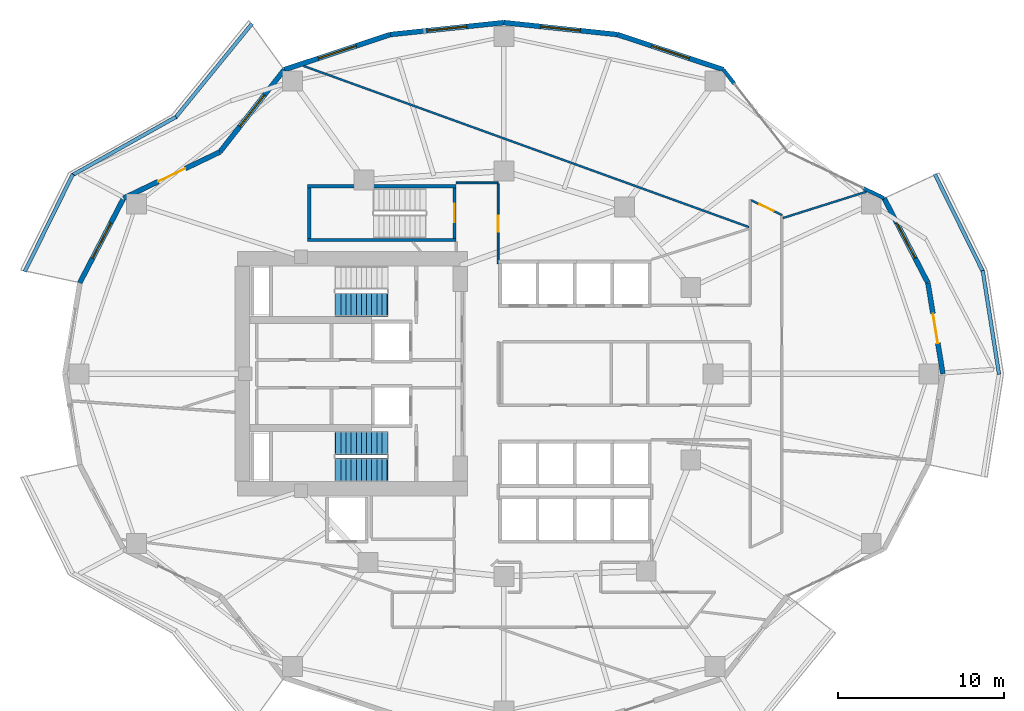
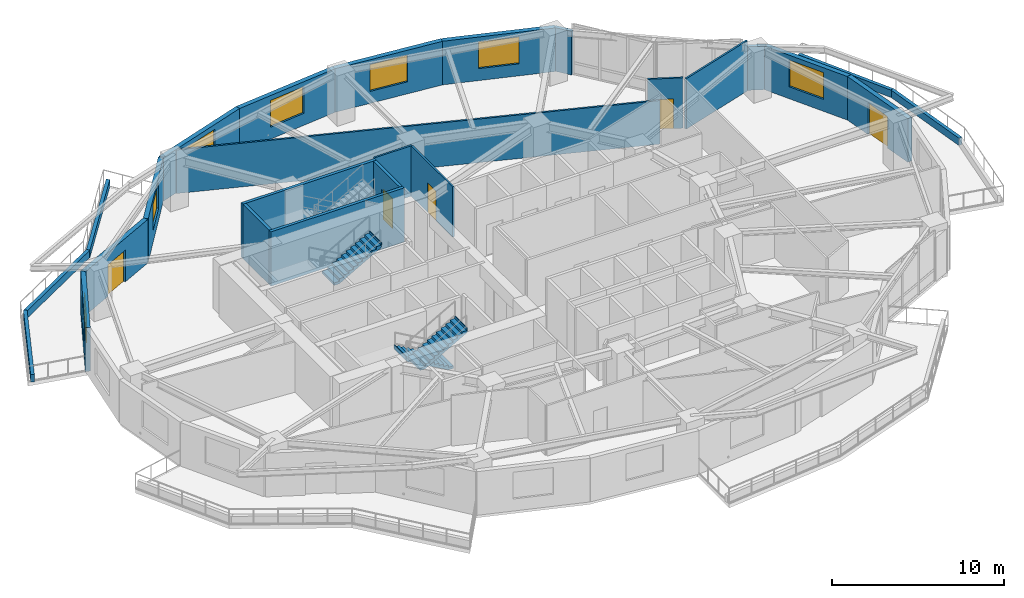
# One storey, part 9 of 13: 25 walls, 7 windows, 5 doors, 3 stair flights, 12 openings, 2 elements without a shape of their own.
"""IFC4 building model written with IfcOpenShell, lengths in metres."""

from ifc_helpers import new_model, si_unit, direction, frame, frame_2d, origin, place, context, subcontext, project, spatial, polyline, rectangle, outline, extrude, material, layer, layer_set, type_object, element, fill, aggregate, save


model = new_model("IFC4")

# Units and contexts
model_context = context("Model", 3, precision=1e-05, world=origin(), true_north=direction((0.0, 1.0)))
body_context = subcontext(model_context, "Body", "Model", "MODEL_VIEW")
ifc_project = project(units=[si_unit("LENGTHUNIT", "METRE"), si_unit("AREAUNIT", "SQUARE_METRE"), si_unit("VOLUMEUNIT", "CUBIC_METRE"), si_unit("PLANEANGLEUNIT", "RADIAN"), si_unit("MASSUNIT", "GRAM", prefix="KILO")], contexts=[model_context])

# Site, building, storey
site_placement = place(None, origin())
site = spatial("IfcSite", under=ifc_project, at=site_placement, CompositionType="ELEMENT")
building_placement = place(site_placement, origin())
building = spatial("IfcBuilding", under=site, at=building_placement, Name="Kolvaren Gate Tower and Convention Centre", CompositionType="ELEMENT")
storey_placement = place(building_placement, frame((0.0, 0.0, 76.550048828125)))
storey = spatial("IfcBuildingStorey", under=building, at=storey_placement, Name="L18", CompositionType="ELEMENT", Elevation=76.550048828125)

# Wall
ifc_material_1 = material(Name="Fire-Rated Acoustic Gypsum Stud Partition", Category="gypsum")
ifc_layer_1 = layer(ifc_material_1, 0.1201171875)
ifc_layer_set_1 = layer_set([ifc_layer_1], Name="Fire-Rated Acoustic Gypsum Stud Partition")
wall_type_1 = type_object("IfcWallType", Name="ARCH-WL-PART-120", PredefinedType="PARTITIONING", material=ifc_layer_set_1)
wall_1_placement = place(storey_placement, frame((27.25, 38.5, 0.0), z_axis=(0.0, 0.0, 1.0), x_axis=(1.0, 0.0, 0.0)))
element("IfcWall", 1, at=wall_1_placement, inside=storey, type_object=wall_type_1, Name="Interior Partition WL-L18-INT-027", PredefinedType="PARTITIONING", context=body_context, shape_type="SweptSolid", body=[
    extrude(rectangle(XDim=2.530029296875, YDim=0.1201171875, at=frame_2d((1.26513671875, 0.0))), origin(), (0.0, 0.0, 1.0), 3.570068359375),
])

# Wall, opening, door
wall_2_placement = place(storey_placement, frame((29.780029296875, 33.639892578125, 0.0), z_axis=(0.0, 0.0, 1.0), x_axis=(0.0, 1.0, 0.0)))
wall_2 = element("IfcWall", 2, at=wall_2_placement, inside=storey, type_object=wall_type_1, Name="Interior Partition WL-L18-INT-030", PredefinedType="PARTITIONING", context=body_context, shape_type="SweptSolid", body=[
    extrude(rectangle(XDim=4.798095703125, YDim=0.1201171875, at=frame_2d((2.39892578125, 0.0))), origin(), (0.0, 0.0, 1.0), 3.570068359375),
])
opening_1_placement = place(wall_2_placement, frame((1.924072265625, 0.0, 0.0)))
opening_1 = element("IfcOpeningElement", 3, at=opening_1_placement, cuts=wall_2, Name="Opening DR-01", PredefinedType="OPENING", context=body_context, shape_type="SweptSolid", body=[
    extrude(rectangle(XDim=0.949951171875, YDim=2.10009765625, at=frame_2d((0.47509765625, 1.050048828125))), frame((0.0, 0.070068359375, 0.0), z_axis=(0.0, -1.0, 0.0), x_axis=(1.0, 0.0, 0.0)), (0.0, 0.0, 1.0), 0.14013671875),
])
ifc_material_2 = material(Name="Painted Architectural Steelwork ASTM A500 Grade C 345 MPa", Category="steel")
door_type_1 = type_object("IfcDoorType", Name="ARCH-DR-RISER-950", OperationType="SINGLE_SWING_RIGHT", PredefinedType="DOOR", material=ifc_material_2)
door_1_placement = place(opening_1_placement, origin())
door_1 = element("IfcDoor", 4, at=door_1_placement, inside=storey, type_object=door_type_1, Name="Open-Plan Office Suite Door", OperationType="SINGLE_SWING_RIGHT", OverallHeight=2.10009765625, OverallWidth=0.949951171875, PredefinedType="DOOR", context=body_context, shape_type="SweptSolid", body=[
    extrude(rectangle(XDim=0.949951171875, YDim=2.10009765625, at=frame_2d((0.47509765625, 1.050048828125))), frame((0.0, 0.02490234375, 0.0), z_axis=(0.0, -1.0, 0.0), x_axis=(1.0, 0.0, 0.0)), (0.0, 0.0, 1.0), 0.050048828125),
])
fill(opening_1, door_1)

wall_3_placement = place(storey_placement, frame((45.011962890625, 37.451171875, 0.0), z_axis=(0.0, 0.0, 1.0), x_axis=(0.901304887575, -0.433185294803, 0.0)))
wall_3 = element("IfcWall", 5, at=wall_3_placement, inside=storey, type_object=wall_type_1, Name="Interior Partition WL-L18-INT-035", PredefinedType="PARTITIONING", context=body_context, shape_type="SweptSolid", body=[
    extrude(rectangle(XDim=2.0615234375, YDim=0.1201171875, at=frame_2d((1.03076171875, 0.0))), origin(), (0.0, 0.0, 1.0), 3.570068359375),
])
opening_2_placement = place(wall_3_placement, frame((0.555908203125, 0.0, 0.0)))
opening_2 = element("IfcOpeningElement", 6, at=opening_2_placement, cuts=wall_3, Name="Opening DR-01", PredefinedType="OPENING", context=body_context, shape_type="SweptSolid", body=[
    extrude(rectangle(XDim=0.949951171875, YDim=2.10009765625, at=frame_2d((0.47509765625, 1.050048828125))), frame((0.0, 0.070068359375, 0.0), z_axis=(0.0, -1.0, 0.0), x_axis=(1.0, 0.0, 0.0)), (0.0, 0.0, 1.0), 0.14013671875),
])
door_2_placement = place(opening_2_placement, origin())
door_2 = element("IfcDoor", 7, at=door_2_placement, inside=storey, type_object=door_type_1, Name="Staff Dining and Bistro Cafe Door", OperationType="SINGLE_SWING_LEFT", OverallHeight=2.10009765625, OverallWidth=0.949951171875, PredefinedType="DOOR", context=body_context, shape_type="SweptSolid", body=[
    extrude(rectangle(XDim=0.949951171875, YDim=2.10009765625, at=frame_2d((0.47509765625, 1.050048828125))), frame((0.0, 0.02490234375, 0.0), z_axis=(0.0, -1.0, 0.0), x_axis=(1.0, 0.0, 0.0)), (0.0, 0.0, 1.0), 0.050048828125),
])
fill(opening_2, door_2)

# Walls
wall_4_placement = place(storey_placement, frame((46.931884765625, 36.379638671875, 0.0), z_axis=(0.0, 0.0, 1.0), x_axis=(0.95364782426, 0.300924952909, 0.0)))
element("IfcWall", 8, at=wall_4_placement, inside=storey, type_object=wall_type_1, Name="Interior Partition WL-L18-INT-051", PredefinedType="PARTITIONING", context=body_context, shape_type="SweptSolid", body=[
    extrude(rectangle(XDim=5.2646484375, YDim=0.1201171875, at=frame_2d((2.63232421875, 0.0))), origin(), (0.0, 0.0, 1.0), 3.570068359375),
])
wall_5_placement = place(storey_placement, frame((18.0595703125, 45.538330078125, 0.0), z_axis=(0.0, 0.0, 1.0), x_axis=(0.940354559933, -0.340195975304, 0.0)))
element("IfcWall", 9, at=wall_5_placement, inside=storey, type_object=wall_type_1, Name="Interior Partition WL-L18-INT-052", PredefinedType="PARTITIONING", context=body_context, shape_type="SweptSolid", body=[
    extrude(rectangle(XDim=28.530029296875, YDim=0.1201171875, at=frame_2d((14.26513671875, 0.0))), origin(), (0.0, 0.0, 1.0), 3.093017578125),
])
ifc_material_3 = material(Name="Bogota Sabana Bush-Hammered Sandstone Cladding", Category="masonry")
ifc_layer_2 = layer(ifc_material_3, 0.219970703125)
ifc_layer_set_2 = layer_set([ifc_layer_2], Name="Bogota Sabana Bush-Hammered Sandstone Cladding")
wall_type_2 = type_object("IfcWallType", Name="ARCH-WL-PIER-220", PredefinedType="SOLIDWALL", material=ifc_layer_set_2)
wall_6_placement = place(storey_placement, frame((51.77587890625, 38.173095703125, 0.0), z_axis=(0.0, 0.0, 1.0), x_axis=(0.90131879969, -0.433156347438, 0.0)))
element("IfcWall", 10, at=wall_6_placement, inside=storey, type_object=wall_type_2, Name="Tower L18 Unitised Curtain Wall CW-OFF-UNIT Bay 02 Right Column Pier Wrap", PredefinedType="SOLIDWALL", context=body_context, shape_type="SweptSolid", body=[
    extrude(rectangle(XDim=1.380859375, YDim=0.219970703125, at=frame_2d((0.6904296875, 0.0))), origin(), (0.0, 0.0, 1.0), 3.093017578125),
])
wall_7_placement = place(storey_placement, frame((43.34375, 45.31640625, 0.0), z_axis=(0.0, 0.0, 1.0), x_axis=(0.616387780378, -0.787442762492, 0.0)))
element("IfcWall", 11, at=wall_7_placement, inside=storey, type_object=wall_type_2, Name="Tower L18 Unitised Curtain Wall CW-OFF-UNIT Bay 03 Left Column Pier Wrap", PredefinedType="SOLIDWALL", context=body_context, shape_type="SweptSolid", body=[
    extrude(rectangle(XDim=1.076171875, YDim=0.219970703125, at=frame_2d((0.5380859375, 0.0))), origin(), (0.0, 0.0, 1.0), 3.093017578125),
])
ifc_material_4 = material(Name="Piedmont Cream Honed Limestone Cladding", Category="masonry")
ifc_layer_3 = layer(ifc_material_4, 0.219970703125)
ifc_layer_set_3 = layer_set([ifc_layer_3], Name="Piedmont Cream Honed Limestone Cladding")
wall_type_3 = type_object("IfcWallType", Name="ARCH-WL-PLANTER-220", PredefinedType="PARAPET", material=ifc_layer_set_3)
wall_8_placement = place(storey_placement, frame((10.335693359375, 42.411376953125, 0.0), z_axis=(0.0, 0.0, 1.0), x_axis=(0.631819273026, 0.775115737315, 0.0)))
element("IfcWall", 12, at=wall_8_placement, inside=storey, type_object=wall_type_3, Name="Vertical-Forest Balcony Stone Planter Kerb PK-L18-1.1", PredefinedType="PARAPET", context=body_context, shape_type="SweptSolid", body=[
    extrude(rectangle(XDim=7.31591796875, YDim=0.219970703125, at=frame_2d((3.657958984375, 0.0))), origin(), (0.0, 0.0, 1.0), 0.52001953125),
])
wall_9_placement = place(storey_placement, frame((4.14697265625, 38.965576171875, 0.0), z_axis=(0.0, 0.0, 1.0), x_axis=(0.871775109335, 0.489906275468, 0.0)))
element("IfcWall", 13, at=wall_9_placement, inside=storey, type_object=wall_type_3, Name="Vertical-Forest Balcony Stone Planter Kerb PK-L18-1.2", PredefinedType="PARAPET", context=body_context, shape_type="SweptSolid", body=[
    extrude(rectangle(XDim=7.152099609375, YDim=0.219970703125, at=frame_2d((3.576171875, 0.0))), origin(), (0.0, 0.0, 1.0), 0.52001953125),
])
wall_10_placement = place(storey_placement, frame((1.275390625, 33.153076171875, 0.0), z_axis=(0.0, 0.0, 1.0), x_axis=(0.442686636348, 0.89667638644, 0.0)))
element("IfcWall", 14, at=wall_10_placement, inside=storey, type_object=wall_type_3, Name="Vertical-Forest Balcony Stone Planter Kerb PK-L18-1.3", PredefinedType="PARAPET", context=body_context, shape_type="SweptSolid", body=[
    extrude(rectangle(XDim=6.544677734375, YDim=0.219970703125, at=frame_2d((3.2724609375, 0.0))), origin(), (0.0, 0.0, 1.0), 0.52001953125),
])
wall_11_placement = place(storey_placement, frame((58.9619140625, 33.2119140625, 0.0), z_axis=(0.0, 0.0, 1.0), x_axis=(0.15545655238, -0.987842730561, 0.0)))
element("IfcWall", 15, at=wall_11_placement, inside=storey, type_object=wall_type_3, Name="Vertical-Forest Balcony Stone Planter Kerb PK-L18-4.2", PredefinedType="PARAPET", context=body_context, shape_type="SweptSolid", body=[
    extrude(rectangle(XDim=6.318115234375, YDim=0.219970703125, at=frame_2d((3.1591796875, 0.0))), origin(), (0.0, 0.0, 1.0), 0.52001953125),
])
wall_12_placement = place(storey_placement, frame((56.077392578125, 39.021484375, 0.0), z_axis=(0.0, 0.0, 1.0), x_axis=(0.442686636348, -0.89667638644, 0.0)))
element("IfcWall", 16, at=wall_12_placement, inside=storey, type_object=wall_type_3, Name="Vertical-Forest Balcony Stone Planter Kerb PK-L18-4.3", PredefinedType="PARAPET", context=body_context, shape_type="SweptSolid", body=[
    extrude(rectangle(XDim=6.544677734375, YDim=0.219970703125, at=frame_2d((3.2724609375, 0.0))), origin(), (0.0, 0.0, 1.0), 0.52001953125),
])

# Wall, opening, door
ifc_layer_4 = layer(ifc_material_4, 0.300048828125)
ifc_layer_set_4 = layer_set([ifc_layer_4], Name="Piedmont Cream Honed Limestone Cladding")
wall_type_4 = type_object("IfcWallType", Name="ARCH-WL-STONE-300", PredefinedType="SOLIDWALL", material=ifc_layer_set_4)
wall_13_placement = place(storey_placement, frame((55.66162109375, 32.47412109375, 0.0), z_axis=(0.0, 0.0, 1.0), x_axis=(0.162386212206, -0.986727276447, 0.0)))
wall_13 = element("IfcWall", 17, at=wall_13_placement, inside=storey, type_object=wall_type_4, Name="Tower L18 Honed Stone Spandrel Wall EW-00", PredefinedType="SOLIDWALL", context=body_context, shape_type="SweptSolid", body=[
    extrude(rectangle(XDim=5.5478515625, YDim=0.300048828125, at=frame_2d((2.77392578125, 0.0))), origin(), (0.0, 0.0, 1.0), 3.093017578125),
])
opening_3_placement = place(wall_13_placement, frame((1.8740234375, 0.0, 0.0)))
opening_3 = element("IfcOpeningElement", 18, at=opening_3_placement, cuts=wall_13, Name="Opening DB-01", PredefinedType="OPENING", context=body_context, shape_type="SweptSolid", body=[
    extrude(rectangle(XDim=1.800048828125, YDim=2.25, at=frame_2d((0.89990234375, 1.125))), frame((0.0, 0.159912109375, 0.0), z_axis=(0.0, -1.0, 0.0), x_axis=(1.0, 0.0, 0.0)), (0.0, 0.0, 1.0), 0.320068359375),
])
ifc_material_5 = material(Name="Anodized Architectural Aluminium Alloy 6063-T6", Category="aluminium")
door_type_2 = type_object("IfcDoorType", Name="ARCH-DR-BALC-1800", OperationType="SLIDING_TO_LEFT", PredefinedType="DOOR", material=ifc_material_5)
door_3_placement = place(opening_3_placement, origin())
door_3 = element("IfcDoor", 19, at=door_3_placement, inside=storey, type_object=door_type_2, Name="Planted Sky Terrace Access Door DB-L18-00", OperationType="SLIDING_TO_LEFT", OverallHeight=2.25, OverallWidth=1.800048828125, PredefinedType="DOOR", context=body_context, shape_type="SweptSolid", body=[
    extrude(rectangle(XDim=1.800048828125, YDim=2.25, at=frame_2d((0.89990234375, 1.125))), frame((0.0, 0.02490234375, 0.0), z_axis=(0.0, -1.0, 0.0), x_axis=(1.0, 0.0, 0.0)), (0.0, 0.0, 1.0), 0.050048828125),
])
fill(opening_3, door_3)

# Wall, opening, window
wall_14_placement = place(storey_placement, frame((53.0205078125, 37.574951171875, 0.0), z_axis=(0.0, 0.0, 1.0), x_axis=(0.459800981414, -0.888021991558, 0.0)))
wall_14 = element("IfcWall", 20, at=wall_14_placement, inside=storey, type_object=wall_type_4, Name="Tower L18 Honed Stone Spandrel Wall EW-01", PredefinedType="SOLIDWALL", context=body_context, shape_type="SweptSolid", body=[
    extrude(rectangle(XDim=5.744140625, YDim=0.300048828125, at=frame_2d((2.8720703125, 0.0))), origin(), (0.0, 0.0, 1.0), 3.093017578125),
])
opening_4_placement = place(wall_14_placement, frame((1.672119140625, 0.0, 0.85009765625)))
opening_4 = element("IfcOpeningElement", 21, at=opening_4_placement, cuts=wall_14, Name="Opening W-01", PredefinedType="OPENING", context=body_context, shape_type="SweptSolid", body=[
    extrude(rectangle(XDim=2.39990234375, YDim=1.89990234375, at=frame_2d((1.199951171875, 0.949951171875))), frame((0.0, 0.159912109375, 0.0), z_axis=(0.0, -1.0, 0.0), x_axis=(1.0, 0.0, 0.0)), (0.0, 0.0, 1.0), 0.320068359375),
])
ifc_material_6 = material(Name="Low-E Triple Insulated Glazing Unit 44 mm", Category="glass")
window_type = type_object("IfcWindowType", Name="ARCH-WN-OFF-2400", PartitioningType="SINGLE_PANEL", PredefinedType="WINDOW", material=ifc_material_6)
window_1_placement = place(opening_4_placement, origin())
window_1 = element("IfcWindow", 22, at=window_1_placement, inside=storey, type_object=window_type, Name="Tower L18 Punched Stone Facade Window W-01", OverallHeight=1.89990234375, OverallWidth=2.39990234375, PartitioningType="SINGLE_PANEL", PredefinedType="WINDOW", context=body_context, shape_type="SweptSolid", body=[
    extrude(rectangle(XDim=2.39990234375, YDim=1.89990234375, at=frame_2d((1.199951171875, 0.949951171875))), frame((0.0, 0.030029296875, 0.0), z_axis=(0.0, -1.0, 0.0), x_axis=(1.0, 0.0, 0.0)), (0.0, 0.0, 1.0), 0.06005859375),
])
fill(opening_4, window_1)

wall_15_placement = place(storey_placement, frame((36.967529296875, 47.42919921875, 0.0), z_axis=(0.0, 0.0, 1.0), x_axis=(0.949245153629, -0.314537181127, 0.0)))
wall_15 = element("IfcWall", 23, at=wall_15_placement, inside=storey, type_object=wall_type_4, Name="Tower L18 Honed Stone Spandrel Wall EW-04", PredefinedType="SOLIDWALL", context=body_context, shape_type="SweptSolid", body=[
    extrude(rectangle(XDim=6.717041015625, YDim=0.300048828125, at=frame_2d((3.3583984375, 0.0))), origin(), (0.0, 0.0, 1.0), 3.093017578125),
])
opening_5_placement = place(wall_15_placement, frame((2.158935546875, 0.0, 0.85009765625)))
opening_5 = element("IfcOpeningElement", 24, at=opening_5_placement, cuts=wall_15, Name="Opening W-01", PredefinedType="OPENING", context=body_context, shape_type="SweptSolid", body=[
    extrude(rectangle(XDim=2.39990234375, YDim=1.89990234375, at=frame_2d((1.199951171875, 0.949951171875))), frame((0.0, 0.159912109375, 0.0), z_axis=(0.0, -1.0, 0.0), x_axis=(1.0, 0.0, 0.0)), (0.0, 0.0, 1.0), 0.320068359375),
])
window_2_placement = place(opening_5_placement, origin())
window_2 = element("IfcWindow", 25, at=window_2_placement, inside=storey, type_object=window_type, Name="Tower L18 Punched Stone Facade Window W-04", OverallHeight=1.89990234375, OverallWidth=2.39990234375, PartitioningType="SINGLE_PANEL", PredefinedType="WINDOW", context=body_context, shape_type="SweptSolid", body=[
    extrude(rectangle(XDim=2.39990234375, YDim=1.89990234375, at=frame_2d((1.199951171875, 0.949951171875))), frame((0.0, 0.030029296875, 0.0), z_axis=(0.0, -1.0, 0.0), x_axis=(1.0, 0.0, 0.0)), (0.0, 0.0, 1.0), 0.06005859375),
])
fill(opening_5, window_2)

wall_16_placement = place(storey_placement, frame((30.125, 48.14990234375, 0.0), z_axis=(0.0, 0.0, 1.0), x_axis=(0.994498840295, -0.104747585419, 0.0)))
wall_16 = element("IfcWall", 26, at=wall_16_placement, inside=storey, type_object=wall_type_4, Name="Tower L18 Honed Stone Spandrel Wall EW-05", PredefinedType="SOLIDWALL", context=body_context, shape_type="SweptSolid", body=[
    extrude(rectangle(XDim=6.88037109375, YDim=0.300048828125, at=frame_2d((3.440185546875, 0.0))), origin(), (0.0, 0.0, 1.0), 3.093017578125),
])
opening_6_placement = place(wall_16_placement, frame((2.239990234375, 0.0, 0.85009765625)))
opening_6 = element("IfcOpeningElement", 27, at=opening_6_placement, cuts=wall_16, Name="Opening W-01", PredefinedType="OPENING", context=body_context, shape_type="SweptSolid", body=[
    extrude(rectangle(XDim=2.39990234375, YDim=1.89990234375, at=frame_2d((1.199951171875, 0.949951171875))), frame((0.0, 0.159912109375, 0.0), z_axis=(0.0, -1.0, 0.0), x_axis=(1.0, 0.0, 0.0)), (0.0, 0.0, 1.0), 0.320068359375),
])
window_3_placement = place(opening_6_placement, origin())
window_3 = element("IfcWindow", 28, at=window_3_placement, inside=storey, type_object=window_type, Name="Tower L18 Punched Stone Facade Window W-05", OverallHeight=1.89990234375, OverallWidth=2.39990234375, PartitioningType="SINGLE_PANEL", PredefinedType="WINDOW", context=body_context, shape_type="SweptSolid", body=[
    extrude(rectangle(XDim=2.39990234375, YDim=1.89990234375, at=frame_2d((1.199951171875, 0.949951171875))), frame((0.0, 0.030029296875, 0.0), z_axis=(0.0, -1.0, 0.0), x_axis=(1.0, 0.0, 0.0)), (0.0, 0.0, 1.0), 0.06005859375),
])
fill(opening_6, window_3)

wall_17_placement = place(storey_placement, frame((23.282470703125, 47.42919921875, 0.0), z_axis=(0.0, 0.0, 1.0), x_axis=(0.994498840295, 0.104747585419, 0.0)))
wall_17 = element("IfcWall", 29, at=wall_17_placement, inside=storey, type_object=wall_type_4, Name="Tower L18 Honed Stone Spandrel Wall EW-06", PredefinedType="SOLIDWALL", context=body_context, shape_type="SweptSolid", body=[
    extrude(rectangle(XDim=6.88037109375, YDim=0.300048828125, at=frame_2d((3.440185546875, 0.0))), origin(), (0.0, 0.0, 1.0), 3.093017578125),
])
opening_7_placement = place(wall_17_placement, frame((2.239990234375, 0.0, 0.85009765625)))
opening_7 = element("IfcOpeningElement", 30, at=opening_7_placement, cuts=wall_17, Name="Opening W-01", PredefinedType="OPENING", context=body_context, shape_type="SweptSolid", body=[
    extrude(rectangle(XDim=2.39990234375, YDim=1.89990234375, at=frame_2d((1.199951171875, 0.949951171875))), frame((0.0, 0.159912109375, 0.0), z_axis=(0.0, -1.0, 0.0), x_axis=(1.0, 0.0, 0.0)), (0.0, 0.0, 1.0), 0.320068359375),
])
window_4_placement = place(opening_7_placement, origin())
window_4 = element("IfcWindow", 31, at=window_4_placement, inside=storey, type_object=window_type, Name="Tower L18 Punched Stone Facade Window W-06", OverallHeight=1.89990234375, OverallWidth=2.39990234375, PartitioningType="SINGLE_PANEL", PredefinedType="WINDOW", context=body_context, shape_type="SweptSolid", body=[
    extrude(rectangle(XDim=2.39990234375, YDim=1.89990234375, at=frame_2d((1.199951171875, 0.949951171875))), frame((0.0, 0.030029296875, 0.0), z_axis=(0.0, -1.0, 0.0), x_axis=(1.0, 0.0, 0.0)), (0.0, 0.0, 1.0), 0.06005859375),
])
fill(opening_7, window_4)

wall_18_placement = place(storey_placement, frame((16.90625, 45.31640625, 0.0), z_axis=(0.0, 0.0, 1.0), x_axis=(0.949245153629, 0.314537181127, 0.0)))
wall_18 = element("IfcWall", 32, at=wall_18_placement, inside=storey, type_object=wall_type_4, Name="Tower L18 Honed Stone Spandrel Wall EW-07", PredefinedType="SOLIDWALL", context=body_context, shape_type="SweptSolid", body=[
    extrude(rectangle(XDim=6.717041015625, YDim=0.300048828125, at=frame_2d((3.3583984375, 0.0))), origin(), (0.0, 0.0, 1.0), 3.093017578125),
])
opening_8_placement = place(wall_18_placement, frame((2.158935546875, 0.0, 0.85009765625)))
opening_8 = element("IfcOpeningElement", 33, at=opening_8_placement, cuts=wall_18, Name="Opening W-01", PredefinedType="OPENING", context=body_context, shape_type="SweptSolid", body=[
    extrude(rectangle(XDim=2.39990234375, YDim=1.89990234375, at=frame_2d((1.199951171875, 0.949951171875))), frame((0.0, 0.159912109375, 0.0), z_axis=(0.0, -1.0, 0.0), x_axis=(1.0, 0.0, 0.0)), (0.0, 0.0, 1.0), 0.320068359375),
])
window_5_placement = place(opening_8_placement, origin())
window_5 = element("IfcWindow", 34, at=window_5_placement, inside=storey, type_object=window_type, Name="Tower L18 Punched Stone Facade Window W-07", OverallHeight=1.89990234375, OverallWidth=2.39990234375, PartitioningType="SINGLE_PANEL", PredefinedType="WINDOW", context=body_context, shape_type="SweptSolid", body=[
    extrude(rectangle(XDim=2.39990234375, YDim=1.89990234375, at=frame_2d((1.199951171875, 0.949951171875))), frame((0.0, 0.030029296875, 0.0), z_axis=(0.0, -1.0, 0.0), x_axis=(1.0, 0.0, 0.0)), (0.0, 0.0, 1.0), 0.06005859375),
])
fill(opening_8, window_5)

wall_19_placement = place(storey_placement, frame((13.026123046875, 40.360107421875, 0.0), z_axis=(0.0, 0.0, 1.0), x_axis=(0.616434798832, 0.78740595552, 0.0)))
wall_19 = element("IfcWall", 35, at=wall_19_placement, inside=storey, type_object=wall_type_4, Name="Tower L18 Honed Stone Spandrel Wall EW-08", PredefinedType="SOLIDWALL", context=body_context, shape_type="SweptSolid", body=[
    extrude(rectangle(XDim=6.29443359375, YDim=0.300048828125, at=frame_2d((3.147216796875, 0.0))), origin(), (0.0, 0.0, 1.0), 3.093017578125),
])
opening_9_placement = place(wall_19_placement, frame((1.947021484375, 0.0, 0.85009765625)))
opening_9 = element("IfcOpeningElement", 36, at=opening_9_placement, cuts=wall_19, Name="Opening W-01", PredefinedType="OPENING", context=body_context, shape_type="SweptSolid", body=[
    extrude(rectangle(XDim=2.39990234375, YDim=1.89990234375, at=frame_2d((1.199951171875, 0.949951171875))), frame((0.0, 0.159912109375, 0.0), z_axis=(0.0, -1.0, 0.0), x_axis=(1.0, 0.0, 0.0)), (0.0, 0.0, 1.0), 0.320068359375),
])
window_6_placement = place(opening_9_placement, origin())
window_6 = element("IfcWindow", 37, at=window_6_placement, inside=storey, type_object=window_type, Name="Tower L18 Punched Stone Facade Window W-08", OverallHeight=1.89990234375, OverallWidth=2.39990234375, PartitioningType="SINGLE_PANEL", PredefinedType="WINDOW", context=body_context, shape_type="SweptSolid", body=[
    extrude(rectangle(XDim=2.39990234375, YDim=1.89990234375, at=frame_2d((1.199951171875, 0.949951171875))), frame((0.0, 0.030029296875, 0.0), z_axis=(0.0, -1.0, 0.0), x_axis=(1.0, 0.0, 0.0)), (0.0, 0.0, 1.0), 0.06005859375),
])
fill(opening_9, window_6)

# Wall, opening, door
wall_20_placement = place(storey_placement, frame((7.2294921875, 37.574951171875, 0.0), z_axis=(0.0, 0.0, 1.0), x_axis=(0.901354747727, 0.433081538224, 0.0)))
wall_20 = element("IfcWall", 38, at=wall_20_placement, inside=storey, type_object=wall_type_4, Name="Tower L18 Honed Stone Spandrel Wall EW-09", PredefinedType="SOLIDWALL", context=body_context, shape_type="SweptSolid", body=[
    extrude(rectangle(XDim=6.430908203125, YDim=0.300048828125, at=frame_2d((3.21533203125, 0.0))), origin(), (0.0, 0.0, 1.0), 3.093017578125),
])
opening_10_placement = place(wall_20_placement, frame((2.31494140625, 0.0, 0.0)))
opening_10 = element("IfcOpeningElement", 39, at=opening_10_placement, cuts=wall_20, Name="Opening DB-01", PredefinedType="OPENING", context=body_context, shape_type="SweptSolid", body=[
    extrude(rectangle(XDim=1.800048828125, YDim=2.25, at=frame_2d((0.89990234375, 1.125))), frame((0.0, 0.159912109375, 0.0), z_axis=(0.0, -1.0, 0.0), x_axis=(1.0, 0.0, 0.0)), (0.0, 0.0, 1.0), 0.320068359375),
])
door_4_placement = place(opening_10_placement, origin())
door_4 = element("IfcDoor", 40, at=door_4_placement, inside=storey, type_object=door_type_2, Name="Planted Sky Terrace Access Door DB-L18-09", OperationType="SLIDING_TO_LEFT", OverallHeight=2.25, OverallWidth=1.800048828125, PredefinedType="DOOR", context=body_context, shape_type="SweptSolid", body=[
    extrude(rectangle(XDim=1.800048828125, YDim=2.25, at=frame_2d((0.89990234375, 1.125))), frame((0.0, 0.02490234375, 0.0), z_axis=(0.0, -1.0, 0.0), x_axis=(1.0, 0.0, 0.0)), (0.0, 0.0, 1.0), 0.050048828125),
])
fill(opening_10, door_4)

# Wall, opening, window
wall_21_placement = place(storey_placement, frame((4.58837890625, 32.47412109375, 0.0), z_axis=(0.0, 0.0, 1.0), x_axis=(0.459800981414, 0.888021991558, 0.0)))
wall_21 = element("IfcWall", 41, at=wall_21_placement, inside=storey, type_object=wall_type_4, Name="Tower L18 Honed Stone Spandrel Wall EW-10", PredefinedType="SOLIDWALL", context=body_context, shape_type="SweptSolid", body=[
    extrude(rectangle(XDim=5.744140625, YDim=0.300048828125, at=frame_2d((2.8720703125, 0.0))), origin(), (0.0, 0.0, 1.0), 3.093017578125),
])
opening_11_placement = place(wall_21_placement, frame((1.672119140625, 0.0, 0.85009765625)))
opening_11 = element("IfcOpeningElement", 42, at=opening_11_placement, cuts=wall_21, Name="Opening W-01", PredefinedType="OPENING", context=body_context, shape_type="SweptSolid", body=[
    extrude(rectangle(XDim=2.39990234375, YDim=1.89990234375, at=frame_2d((1.199951171875, 0.949951171875))), frame((0.0, 0.159912109375, 0.0), z_axis=(0.0, -1.0, 0.0), x_axis=(1.0, 0.0, 0.0)), (0.0, 0.0, 1.0), 0.320068359375),
])
window_7_placement = place(opening_11_placement, origin())
window_7 = element("IfcWindow", 43, at=window_7_placement, inside=storey, type_object=window_type, Name="Tower L18 Punched Stone Facade Window W-10", OverallHeight=1.89990234375, OverallWidth=2.39990234375, PartitioningType="SINGLE_PANEL", PredefinedType="WINDOW", context=body_context, shape_type="SweptSolid", body=[
    extrude(rectangle(XDim=2.39990234375, YDim=1.89990234375, at=frame_2d((1.199951171875, 0.949951171875))), frame((0.0, 0.030029296875, 0.0), z_axis=(0.0, -1.0, 0.0), x_axis=(1.0, 0.0, 0.0)), (0.0, 0.0, 1.0), 0.06005859375),
])
fill(opening_11, window_7)

# Wall, opening, door
ifc_material_7 = material(Name="Concrete C50/60", Category="concrete")
ifc_layer_5 = layer(ifc_material_7, 0.199951171875)
ifc_layer_set_5 = layer_set([ifc_layer_5], Name="Concrete C50/60")
wall_type_5 = type_object("IfcWallType", Name="STR-WL-SHAFT-200", PredefinedType="SHEAR", material=ifc_layer_set_5)
wall_22_placement = place(storey_placement, frame((27.14990234375, 35.159912109375, -0.280029296875), z_axis=(0.0, 0.0, 1.0), x_axis=(0.0, 1.0, 0.0)))
wall_22 = element("IfcWall", 44, at=wall_22_placement, inside=storey, type_object=wall_type_5, Name="Tower Mid-Zone Exit Stair ST-T3 L18 Structural Shear Enclosure Wall NEAR", PredefinedType="SHEAR", context=body_context, shape_type="SweptSolid", body=[
    extrude(rectangle(XDim=3.0400390625, YDim=0.199951171875, at=frame_2d((1.52001953125, 0.0))), origin(), (0.0, 0.0, 1.0), 3.85009765625),
])
opening_12_placement = place(wall_22_placement, frame((0.969970703125, 0.0, 0.280029296875)))
opening_12 = element("IfcOpeningElement", 45, at=opening_12_placement, cuts=wall_22, Name="Opening DS-01", PredefinedType="OPENING", context=body_context, shape_type="SweptSolid", body=[
    extrude(rectangle(XDim=1.10009765625, YDim=2.14990234375, at=frame_2d((0.550048828125, 1.074951171875))), frame((0.0, 0.10986328125, 0.0), z_axis=(0.0, -1.0, 0.0), x_axis=(1.0, 0.0, 0.0)), (0.0, 0.0, 1.0), 0.219970703125),
])
door_type_3 = type_object("IfcDoorType", Name="ARCH-DR-STAIR-1100", OperationType="SINGLE_SWING_LEFT", PredefinedType="DOOR", material=ifc_material_2)
door_5_placement = place(opening_12_placement, origin())
door_5 = element("IfcDoor", 46, at=door_5_placement, inside=storey, type_object=door_type_3, Name="Tower Mid-Zone Exit Stair ST-T3 L18 Fire Exit Stair Door", OperationType="SINGLE_SWING_RIGHT", OverallHeight=2.14990234375, OverallWidth=1.10009765625, PredefinedType="DOOR", context=body_context, shape_type="SweptSolid", body=[
    extrude(rectangle(XDim=1.10009765625, YDim=2.14990234375, at=frame_2d((0.550048828125, 1.074951171875))), frame((0.0, 0.02490234375, 0.0), z_axis=(0.0, -1.0, 0.0), x_axis=(1.0, 0.0, 0.0)), (0.0, 0.0, 1.0), 0.050048828125),
])
fill(opening_12, door_5)

# Walls
wall_23_placement = place(storey_placement, frame((18.39990234375, 35.159912109375, -0.280029296875), z_axis=(0.0, 0.0, 1.0), x_axis=(0.0, 1.0, 0.0)))
element("IfcWall", 47, at=wall_23_placement, inside=storey, type_object=wall_type_5, Name="Tower Mid-Zone Exit Stair ST-T3 L18 Structural Shear Enclosure Wall FAR", PredefinedType="SHEAR", context=body_context, shape_type="SweptSolid", body=[
    extrude(rectangle(XDim=3.0400390625, YDim=0.199951171875, at=frame_2d((1.52001953125, 0.0))), origin(), (0.0, 0.0, 1.0), 3.85009765625),
])
for number, where, z_axis, x_axis, name in (
    (48, (18.300048828125, 38.300048828125, -0.280029296875), (0.0, 0.0, 1.0), (1.0, 0.0, 0.0), "Tower Mid-Zone Exit Stair ST-T3 L18 Structural Shear Enclosure Wall LEFT"),
    (49, (18.300048828125, 35.06005859375, -0.280029296875), (0.0, 0.0, 1.0), (1.0, 0.0, 0.0), "Tower Mid-Zone Exit Stair ST-T3 L18 Structural Shear Enclosure Wall RGHT"),
):
    element("IfcWall", number, at=place(storey_placement, frame(where, z_axis=z_axis, x_axis=x_axis)), inside=storey, type_object=wall_type_5, Name=name, PredefinedType="SHEAR", context=body_context, shape_type="SweptSolid", body=[
        extrude(rectangle(XDim=8.949951171875, YDim=0.199951171875, at=frame_2d((4.47509765625, 0.0))), origin(), (0.0, 0.0, 1.0), 3.85009765625),
    ])

# Stair, stair flight
stair_type = type_object("IfcStairType", Name="STR-STAIR-CORE", PredefinedType="HALF_TURN_STAIR", material=ifc_material_7)
stair_1_placement = place(storey_placement, origin())
stair_1 = element("IfcStair", 50, at=stair_1_placement, inside=storey, type_object=stair_type, Name="L18 Tower North Exit Stair ST-T1", PredefinedType="HALF_TURN_STAIR")
stair_flight_type = type_object("IfcStairFlightType", Name="STR-SFL-1420", PredefinedType="STRAIGHT", material=ifc_material_7)
stair_flight_1_placement = place(storey_placement, frame((20.0, 31.169921875, 1.925048828125), z_axis=(0.0, 0.0, 1.0), x_axis=(1.0, 0.0, 0.0)))
stair_flight_1 = element("IfcStairFlight", 51, at=stair_flight_1_placement, type_object=stair_flight_type, Name="ST-T1 flight 2", NumberOfRisers=11, NumberOfTreads=10, PredefinedType="STRAIGHT", RiserHeight=0.175, TreadLength=0.31, context=body_context, shape_type="SweptSolid", body=[
    extrude(outline(polyline([(-0.034912109375, 0.0), (-0.034912109375, 0.175048828125), (0.31005859375, 0.175048828125), (0.31005859375, 0.35009765625), (0.6201171875, 0.35009765625), (0.6201171875, 0.52490234375), (0.929931640625, 0.52490234375), (0.929931640625, 0.699951171875), (1.239990234375, 0.699951171875), (1.239990234375, 0.875), (1.550048828125, 0.875), (1.550048828125, 1.050048828125), (1.860107421875, 1.050048828125), (1.860107421875, 1.22509765625), (2.169921875, 1.22509765625), (2.169921875, 1.39990234375), (2.47998046875, 1.39990234375), (2.47998046875, 1.574951171875), (2.7900390625, 1.574951171875), (2.7900390625, 1.75), (3.10009765625, 1.75), (3.10009765625, 1.925048828125), (3.14501953125, 1.925048828125), (3.14501953125, 1.764892578125), (3.10009765625, 1.577880859375), (0.304931640625, 0.0), (-0.034912109375, 0.0)])), frame((0.0, 0.7099609375, 0.0), z_axis=(0.0, -1.0, 0.0), x_axis=(1.0, 0.0, 0.0)), (0.0, 0.0, 1.0), 1.419921875),
])
aggregate(stair_1, [stair_flight_1])

# Stair, stair flights
stair_2_placement = place(storey_placement, origin())
stair_2 = element("IfcStair", 52, at=stair_2_placement, inside=storey, type_object=stair_type, Name="L18 Tower South Exit Stair ST-T2", PredefinedType="HALF_TURN_STAIR")
stair_flight_2_placement = place(storey_placement, frame((23.10009765625, 22.830078125, 0.0), z_axis=(0.0, 0.0, 1.0), x_axis=(-1.0, 0.0, 0.0)))
stair_flight_2 = element("IfcStairFlight", 53, at=stair_flight_2_placement, type_object=stair_flight_type, Name="ST-T2 flight 1", NumberOfRisers=11, NumberOfTreads=10, PredefinedType="STRAIGHT", RiserHeight=0.175, TreadLength=0.31, context=body_context, shape_type="SweptSolid", body=[
    extrude(outline(polyline([(-0.034912109375, 0.0), (-0.034912109375, 0.175048828125), (0.31005859375, 0.175048828125), (0.31005859375, 0.35009765625), (0.6201171875, 0.35009765625), (0.6201171875, 0.52490234375), (0.929931640625, 0.52490234375), (0.929931640625, 0.699951171875), (1.239990234375, 0.699951171875), (1.239990234375, 0.875), (1.550048828125, 0.875), (1.550048828125, 1.050048828125), (1.860107421875, 1.050048828125), (1.860107421875, 1.22509765625), (2.169921875, 1.22509765625), (2.169921875, 1.39990234375), (2.47998046875, 1.39990234375), (2.47998046875, 1.574951171875), (2.7900390625, 1.574951171875), (2.7900390625, 1.75), (3.10009765625, 1.75), (3.10009765625, 1.925048828125), (3.14501953125, 1.925048828125), (3.14501953125, 1.764892578125), (3.10009765625, 1.577880859375), (0.304931640625, 0.0), (-0.034912109375, 0.0)])), frame((0.0, 0.7099609375, 0.0), z_axis=(0.0, -1.0, 0.0), x_axis=(1.0, 0.0, 0.0)), (0.0, 0.0, 1.0), 1.419921875),
])
stair_flight_3_placement = place(storey_placement, frame((20.0, 21.2099609375, 1.925048828125), z_axis=(0.0, 0.0, 1.0), x_axis=(1.0, 0.0, 0.0)))
stair_flight_3 = element("IfcStairFlight", 54, at=stair_flight_3_placement, type_object=stair_flight_type, Name="ST-T2 flight 2", NumberOfRisers=11, NumberOfTreads=10, PredefinedType="STRAIGHT", RiserHeight=0.175, TreadLength=0.31, context=body_context, shape_type="SweptSolid", body=[
    extrude(outline(polyline([(-0.034912109375, 0.0), (-0.034912109375, 0.175048828125), (0.31005859375, 0.175048828125), (0.31005859375, 0.35009765625), (0.6201171875, 0.35009765625), (0.6201171875, 0.52490234375), (0.929931640625, 0.52490234375), (0.929931640625, 0.699951171875), (1.239990234375, 0.699951171875), (1.239990234375, 0.875), (1.550048828125, 0.875), (1.550048828125, 1.050048828125), (1.860107421875, 1.050048828125), (1.860107421875, 1.22509765625), (2.169921875, 1.22509765625), (2.169921875, 1.39990234375), (2.47998046875, 1.39990234375), (2.47998046875, 1.574951171875), (2.7900390625, 1.574951171875), (2.7900390625, 1.75), (3.10009765625, 1.75), (3.10009765625, 1.925048828125), (3.14501953125, 1.925048828125), (3.14501953125, 1.764892578125), (3.10009765625, 1.577880859375), (0.304931640625, 0.0), (-0.034912109375, 0.0)])), frame((0.0, 0.7099609375, 0.0), z_axis=(0.0, -1.0, 0.0), x_axis=(1.0, 0.0, 0.0)), (0.0, 0.0, 1.0), 1.419921875),
])
aggregate(stair_2, [stair_flight_2, stair_flight_3])

save(model, "model.ifc")
